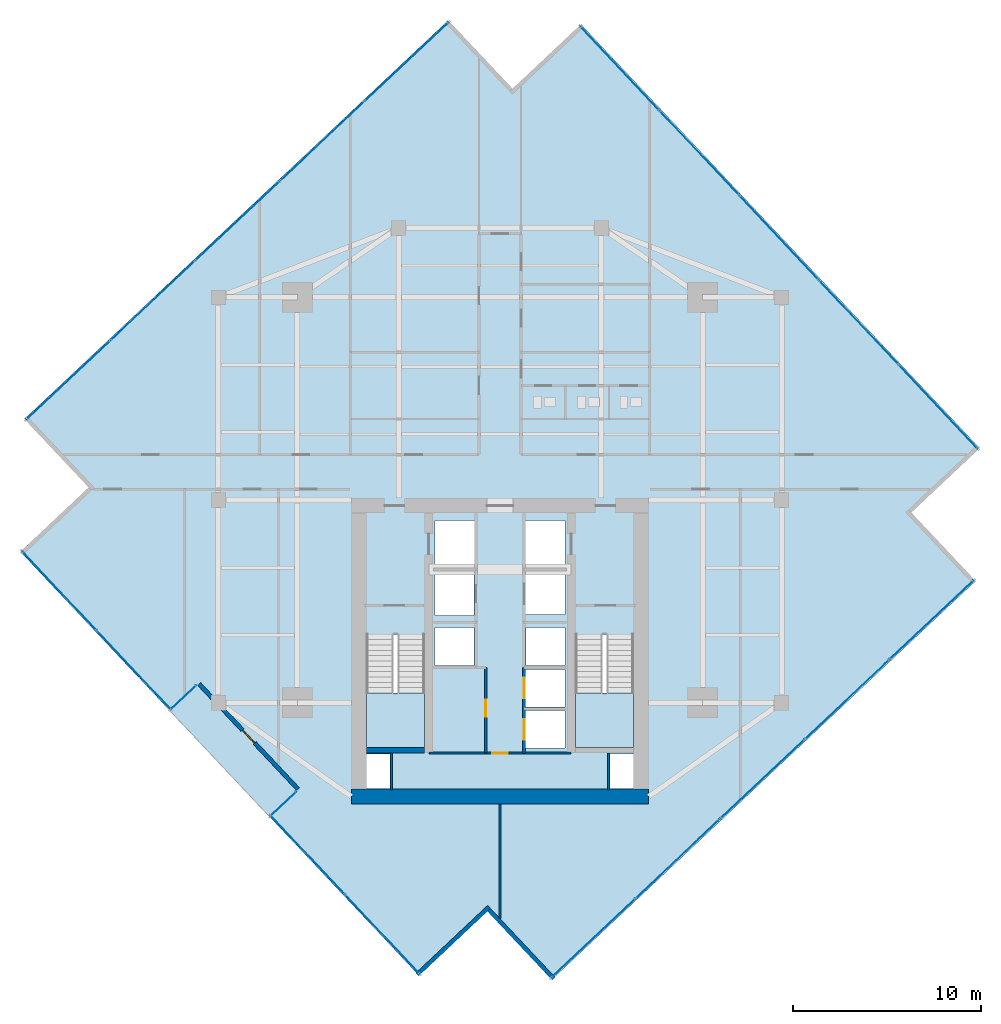
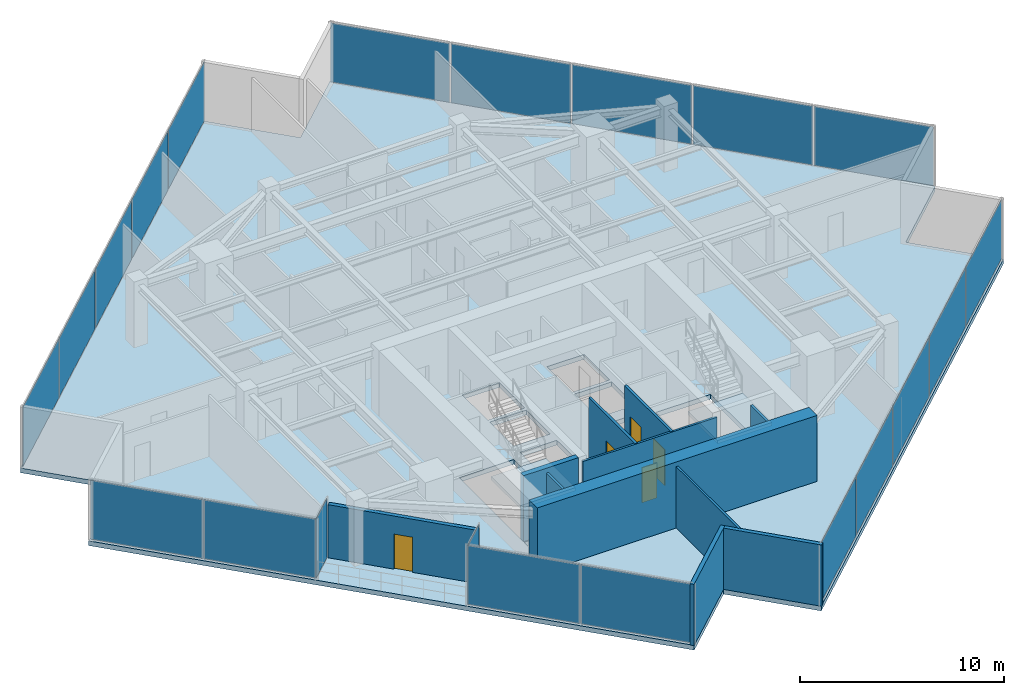
# One storey, part 20 of 24: 21 plates, 11 walls, 5 doors, 3 slabs, 5 openings, 9 elements without a shape of their own.
"""IFC4 building model written with IfcOpenShell, lengths in metres."""

from ifc_helpers import new_model, si_unit, direction, frame, frame_2d, origin, origin_2d, place, context, subcontext, project, spatial, polyline, rectangle, outline, extrude, source, transform, mapped, material, layer, layer_set, type_object, type_shapes, element, fill, aggregate, save


model = new_model("IFC4")

# Units and contexts
model_context = context("Model", 3, precision=1e-05, world=origin(), true_north=direction((0.0, 1.0)))
body_context = subcontext(model_context, "Body", "Model", "MODEL_VIEW")
ifc_project = project(units=[si_unit("LENGTHUNIT", "METRE"), si_unit("AREAUNIT", "SQUARE_METRE"), si_unit("VOLUMEUNIT", "CUBIC_METRE"), si_unit("PLANEANGLEUNIT", "RADIAN"), si_unit("MASSUNIT", "GRAM", prefix="KILO")], contexts=[model_context])

# Site, building, storey
site_placement = place(None, origin())
site = spatial("IfcSite", under=ifc_project, at=site_placement, CompositionType="ELEMENT")
building_placement = place(site_placement, origin())
building = spatial("IfcBuilding", under=site, at=building_placement, Name="Krantzveldt Concourse Tower", CompositionType="ELEMENT")
storey_placement = place(building_placement, frame((0.0, 0.0, 242.85009765625)))
storey = spatial("IfcBuildingStorey", under=building, at=storey_placement, Name="L59", CompositionType="ELEMENT", Elevation=242.85009765625)

# Stair, slab
ifc_material_1 = material(Name="Precast concrete C40/50", Category="concrete")
stair_type = type_object("IfcStairType", Name="STR-CORE-DOGLEG", PredefinedType="HALF_TURN_STAIR", material=ifc_material_1)
stair_1_placement = place(storey_placement, origin())
stair_1 = element("IfcStair", 1, at=stair_1_placement, inside=storey, type_object=stair_type, Name="L59 Protected Escape Stair ST-1", PredefinedType="HALF_TURN_STAIR")
ifc_layer_1 = layer(ifc_material_1, 0.199951171875, Name="Precast concrete C40/50", Category="concrete")
ifc_layer_set_1 = layer_set([ifc_layer_1], Name="Precast concrete C40/50 (SL-LANDING-200)")
slab_type_1 = type_object("IfcSlabType", Name="SL-LANDING-200", PredefinedType="LANDING", material=ifc_layer_set_1)
slab_1_placement = place(storey_placement, frame((0.0, 0.0, 1.77490234375)))
slab_1 = element("IfcSlab", 2, at=slab_1_placement, type_object=slab_type_1, Name="ST-1 landing 1", PredefinedType="LANDING", context=body_context, shape_type="SweptSolid", body=[
    extrude(outline(polyline([(28.8798828125, 16.4150390625), (28.8798828125, 13.52001953125), (31.97998046875, 13.52001953125), (31.97998046875, 16.4150390625), (28.8798828125, 16.4150390625)])), origin(), (0.0, 0.0, 1.0), 0.199951171875),
])
aggregate(stair_1, [slab_1])

stair_2_placement = place(storey_placement, origin())
stair_2 = element("IfcStair", 3, at=stair_2_placement, inside=storey, type_object=stair_type, Name="L59 Protected Escape Stair ST-2", PredefinedType="HALF_TURN_STAIR")
slab_2_placement = place(storey_placement, frame((0.0, 0.0, 1.77490234375)))
slab_2 = element("IfcSlab", 4, at=slab_2_placement, type_object=slab_type_1, Name="ST-2 landing 1", PredefinedType="LANDING", context=body_context, shape_type="SweptSolid", body=[
    extrude(outline(polyline([(40.02001953125, 16.4150390625), (40.02001953125, 13.52001953125), (43.1201171875, 13.52001953125), (43.1201171875, 16.4150390625), (40.02001953125, 16.4150390625)])), origin(), (0.0, 0.0, 1.0), 0.199951171875),
])
aggregate(stair_2, [slab_2])

# Slab
ifc_material_2 = material(Name="Concrete C40/50", Category="concrete")
ifc_layer_2 = layer(ifc_material_2, 0.280029296875, Name="Concrete C40/50", Category="concrete")
ifc_layer_set_2 = layer_set([ifc_layer_2], Name="Concrete C40/50 (SL-SL-TER280)")
slab_type_2 = type_object("IfcSlabType", Name="SL-SL-TER280", PredefinedType="FLOOR", material=ifc_layer_set_2)
slab_3_placement = place(storey_placement, frame((0.0, 0.0, -0.280029296875)))
element("IfcSlab", 5, at=slab_3_placement, inside=storey, type_object=slab_type_2, Name="SL-L59-MAIN", PredefinedType="FLOOR", context=body_context, shape_type="SweptSolid", body=[
    extrude(outline(polyline([(36.66943359375, 48.610107421875), (33.243408203125, 52.251953125), (10.6640625, 31.01123046875), (14.08984375, 27.369384765625), (10.447998046875, 23.943603515625), (31.688720703125, 1.364013671875), (35.33056640625, 4.789794921875), (38.756591796875, 1.14794921875), (61.3359375, 22.388671875), (57.91015625, 26.030517578125), (61.552001953125, 29.45654296875), (40.311279296875, 52.035888671875), (36.66943359375, 48.610107421875)]), holes=[polyline([(28.8798828125, 19.547607421875), (28.8798828125, 13.52001953125), (31.97998046875, 13.52001953125), (31.97998046875, 19.547607421875), (28.8798828125, 19.547607421875)]), polyline([(40.02001953125, 19.547607421875), (40.02001953125, 13.52001953125), (43.1201171875, 13.52001953125), (43.1201171875, 19.547607421875), (40.02001953125, 19.547607421875)]), polyline([(32.550048828125, 23.10009765625), (34.64990234375, 23.10009765625), (34.64990234375, 25.60009765625), (32.550048828125, 25.60009765625), (32.550048828125, 23.10009765625)]), polyline([(37.35009765625, 23.10009765625), (39.449951171875, 23.10009765625), (39.449951171875, 25.60009765625), (37.35009765625, 25.60009765625), (37.35009765625, 23.10009765625)]), polyline([(37.35009765625, 20.60009765625), (39.449951171875, 20.60009765625), (39.449951171875, 22.89990234375), (37.35009765625, 22.89990234375), (37.35009765625, 20.60009765625)]), polyline([(37.35009765625, 13.47998046875), (39.449951171875, 13.47998046875), (39.449951171875, 15.47998046875), (37.35009765625, 15.47998046875), (37.35009765625, 13.47998046875)]), polyline([(37.35009765625, 15.679931640625), (39.449951171875, 15.679931640625), (39.449951171875, 17.679931640625), (37.35009765625, 17.679931640625), (37.35009765625, 15.679931640625)]), polyline([(32.550048828125, 20.550048828125), (34.6201171875, 20.550048828125), (34.6201171875, 22.89990234375), (32.550048828125, 22.89990234375), (32.550048828125, 20.550048828125)]), polyline([(32.550048828125, 17.8798828125), (34.6201171875, 17.8798828125), (34.6201171875, 19.919921875), (32.550048828125, 19.919921875), (32.550048828125, 17.8798828125)]), polyline([(37.3798828125, 17.8798828125), (39.449951171875, 17.8798828125), (39.449951171875, 19.919921875), (37.3798828125, 19.919921875), (37.3798828125, 17.8798828125)]), polyline([(28.8798828125, 11.320068359375), (30.139892578125, 11.320068359375), (30.139892578125, 13.159912109375), (28.8798828125, 13.159912109375), (28.8798828125, 11.320068359375)]), polyline([(41.860107421875, 11.320068359375), (43.1201171875, 11.320068359375), (43.1201171875, 13.159912109375), (41.860107421875, 13.159912109375), (41.860107421875, 11.320068359375)])]), origin(), (0.0, 0.0, 1.0), 0.280029296875),
])

# Curtain wall, plate
ifc_material_3 = material(Name="Anodised aluminium 6063-T6", Category="aluminium")
curtain_wall_type_1 = type_object("IfcCurtainWallType", Name="CW6", PredefinedType="USERDEFINED", material=ifc_material_3)
curtain_wall_1_placement = place(storey_placement, origin())
curtain_wall_1 = element("IfcCurtainWall", 6, at=curtain_wall_1_placement, inside=storey, type_object=curtain_wall_type_1, Name="CW-L59-TR05", ObjectType="UNITISED CURTAIN WALL", PredefinedType="USERDEFINED")
ifc_material_4 = material(Name="Bronze-tinted laminated low-E IGU glass", Category="glass")
ifc_layer_3 = layer(ifc_material_4, 0.031982421875, Name="Bronze-tinted laminated low-E IGU glass", Category="glass")
ifc_layer_set_3 = layer_set([ifc_layer_3], Name="Bronze-tinted laminated low-E IGU glass (CW-GLZ-32)")
plate_type = type_object("IfcPlateType", Name="CW-GLZ-32", PredefinedType="CURTAIN_PANEL", material=ifc_layer_set_3)
shared_shape_1 = source(origin(), body_context, "Body", "SweptSolid", [
    extrude(rectangle(XDim=1.860107421875, YDim=0.031982421875, at=origin_2d()), origin(), (0.0, 0.0, 1.0), 3.530029296875),
])
plate_1_placement = place(storey_placement, frame((19.13134765625, 16.17236328125, 0.06982421875), z_axis=(0.0, 0.0, 1.0), x_axis=(0.728372006928, 0.685181887913, 0.0)))
plate_1 = element("IfcPlate", 7, at=plate_1_placement, type_object=plate_type, Name="CW-TERR panel 1.1", PredefinedType="CURTAIN_PANEL", context=body_context, shape_type="MappedRepresentation", body=[
    mapped(shared_shape_1, transform((0.0, 0.0, 0.0), x_axis=(1.0, 0.0, 0.0), y_axis=(0.0, 1.0, 0.0), z_axis=(0.0, 0.0, 1.0), scale=1.0)),
])
aggregate(curtain_wall_1, [plate_1])

curtain_wall_2_placement = place(storey_placement, origin())
curtain_wall_2 = element("IfcCurtainWall", 8, at=curtain_wall_2_placement, inside=storey, type_object=curtain_wall_type_1, Name="CW-L59-TR07", ObjectType="UNITISED CURTAIN WALL", PredefinedType="USERDEFINED")
plate_2_placement = place(storey_placement, frame((24.462158203125, 10.505615234375, 0.06982421875), z_axis=(0.0, 0.0, 1.0), x_axis=(-0.728372006928, -0.685181887913, 0.0)))
plate_2 = element("IfcPlate", 9, at=plate_2_placement, type_object=plate_type, Name="CW-TERR panel 1.1", PredefinedType="CURTAIN_PANEL", context=body_context, shape_type="MappedRepresentation", body=[
    mapped(shared_shape_1, transform((0.0, 0.0, 0.0), x_axis=(1.0, 0.0, 0.0), y_axis=(0.0, 1.0, 0.0), z_axis=(0.0, 0.0, 1.0), scale=1.0)),
])
aggregate(curtain_wall_2, [plate_2])

# Curtain wall, plates
curtain_wall_type_2 = type_object("IfcCurtainWallType", Name="CW3", PredefinedType="USERDEFINED", material=ifc_material_3)
curtain_wall_3_placement = place(storey_placement, origin())
curtain_wall_3 = element("IfcCurtainWall", 10, at=curtain_wall_3_placement, inside=storey, type_object=curtain_wall_type_2, Name="CW-L59-F01", ObjectType="UNITISED CURTAIN WALL", PredefinedType="USERDEFINED")
shared_shape_2 = source(origin(), body_context, "Body", "SweptSolid", [
    extrude(rectangle(XDim=6.094970703125, YDim=0.031982421875, at=origin_2d()), origin(), (0.0, 0.0, 1.0), 3.530029296875),
])
plate_3_placement = place(storey_placement, frame((31.034423828125, 50.05029296875, 0.06982421875), z_axis=(0.0, 0.0, 1.0), x_axis=(-0.728371012348, -0.685182945184, 0.0)))
plate_3 = element("IfcPlate", 11, at=plate_3_placement, type_object=plate_type, Name="CW-Z34 panel 1.1", PredefinedType="CURTAIN_PANEL", context=body_context, shape_type="MappedRepresentation", body=[
    mapped(shared_shape_2, transform((0.0, 0.0, 0.0), x_axis=(1.0, 0.0, 0.0), y_axis=(0.0, 1.0, 0.0), z_axis=(0.0, 0.0, 1.0), scale=1.0)),
])
plate_4_placement = place(storey_placement, frame((12.996337890625, 33.081787109375, 0.06982421875), z_axis=(0.0, 0.0, 1.0), x_axis=(-0.728371012348, -0.685182945184, 0.0)))
plate_4 = element("IfcPlate", 12, at=plate_4_placement, type_object=plate_type, Name="CW-Z34 panel 5.1", PredefinedType="CURTAIN_PANEL", context=body_context, shape_type="MappedRepresentation", body=[
    mapped(shared_shape_2, transform((0.0, 0.0, 0.0), x_axis=(1.0, 0.0, 0.0), y_axis=(0.0, 1.0, 0.0), z_axis=(0.0, 0.0, 1.0), scale=1.0)),
])

curtain_wall_4_placement = place(storey_placement, origin())
curtain_wall_4 = element("IfcCurtainWall", 13, at=curtain_wall_4_placement, inside=storey, type_object=curtain_wall_type_2, Name="CW-L59-F11", ObjectType="UNITISED CURTAIN WALL", PredefinedType="USERDEFINED")
plate_5_placement = place(storey_placement, frame((40.965576171875, 3.349609375, 0.06982421875), z_axis=(0.0, 0.0, 1.0), x_axis=(0.728371012348, 0.685182945184, 0.0)))
plate_5 = element("IfcPlate", 14, at=plate_5_placement, type_object=plate_type, Name="CW-Z34 panel 1.1", PredefinedType="CURTAIN_PANEL", context=body_context, shape_type="MappedRepresentation", body=[
    mapped(shared_shape_2, transform((0.0, 0.0, 0.0), x_axis=(1.0, 0.0, 0.0), y_axis=(0.0, 1.0, 0.0), z_axis=(0.0, 0.0, 1.0), scale=1.0)),
])
plate_6_placement = place(storey_placement, frame((59.003662109375, 20.318115234375, 0.06982421875), z_axis=(0.0, 0.0, 1.0), x_axis=(0.728371012348, 0.685182945184, 0.0)))
plate_6 = element("IfcPlate", 15, at=plate_6_placement, type_object=plate_type, Name="CW-Z34 panel 5.1", PredefinedType="CURTAIN_PANEL", context=body_context, shape_type="MappedRepresentation", body=[
    mapped(shared_shape_2, transform((0.0, 0.0, 0.0), x_axis=(1.0, 0.0, 0.0), y_axis=(0.0, 1.0, 0.0), z_axis=(0.0, 0.0, 1.0), scale=1.0)),
])

curtain_wall_5_placement = place(storey_placement, origin())
curtain_wall_5 = element("IfcCurtainWall", 16, at=curtain_wall_5_placement, inside=storey, type_object=curtain_wall_type_2, Name="CW-L59-F14", ObjectType="UNITISED CURTAIN WALL", PredefinedType="USERDEFINED")
plate_7_placement = place(storey_placement, frame((59.350341796875, 31.66552734375, 0.06982421875), z_axis=(0.0, 0.0, 1.0), x_axis=(-0.685182945184, 0.728371012348, 0.0)))
plate_7 = element("IfcPlate", 17, at=plate_7_placement, type_object=plate_type, Name="CW-Z34 panel 1.1", PredefinedType="CURTAIN_PANEL", context=body_context, shape_type="MappedRepresentation", body=[
    mapped(shared_shape_2, transform((0.0, 0.0, 0.0), x_axis=(1.0, 0.0, 0.0), y_axis=(0.0, 1.0, 0.0), z_axis=(0.0, 0.0, 1.0), scale=1.0)),
])
plate_8_placement = place(storey_placement, frame((42.3818359375, 49.70361328125, 0.06982421875), z_axis=(0.0, 0.0, 1.0), x_axis=(-0.685182945184, 0.728371012348, 0.0)))
plate_8 = element("IfcPlate", 18, at=plate_8_placement, type_object=plate_type, Name="CW-Z34 panel 5.1", PredefinedType="CURTAIN_PANEL", context=body_context, shape_type="MappedRepresentation", body=[
    mapped(shared_shape_2, transform((0.0, 0.0, 0.0), x_axis=(1.0, 0.0, 0.0), y_axis=(0.0, 1.0, 0.0), z_axis=(0.0, 0.0, 1.0), scale=1.0)),
])

# Plate
shared_shape_3 = source(origin(), body_context, "Body", "SweptSolid", [
    extrude(rectangle(XDim=6.1298828125, YDim=0.031982421875, at=origin_2d()), origin(), (0.0, 0.0, 1.0), 3.530029296875),
])
plate_9_placement = place(storey_placement, frame((26.53125, 45.814208984375, 0.06982421875), z_axis=(0.0, 0.0, 1.0), x_axis=(-0.728371012348, -0.685182945184, 0.0)))
plate_9 = element("IfcPlate", 19, at=plate_9_placement, type_object=plate_type, Name="CW-Z34 panel 2.1", PredefinedType="CURTAIN_PANEL", context=body_context, shape_type="MappedRepresentation", body=[
    mapped(shared_shape_3, transform((0.0, 0.0, 0.0), x_axis=(1.0, 0.0, 0.0), y_axis=(0.0, 1.0, 0.0), z_axis=(0.0, 0.0, 1.0), scale=1.0)),
])

plate_10_placement = place(storey_placement, frame((22.015380859375, 41.566162109375, 0.06982421875), z_axis=(0.0, 0.0, 1.0), x_axis=(-0.728371012348, -0.685182945184, 0.0)))
plate_10 = element("IfcPlate", 20, at=plate_10_placement, type_object=plate_type, Name="CW-Z34 panel 3.1", PredefinedType="CURTAIN_PANEL", context=body_context, shape_type="MappedRepresentation", body=[
    mapped(shared_shape_3, transform((0.0, 0.0, 0.0), x_axis=(1.0, 0.0, 0.0), y_axis=(0.0, 1.0, 0.0), z_axis=(0.0, 0.0, 1.0), scale=1.0)),
])

plate_11_placement = place(storey_placement, frame((17.49951171875, 37.31787109375, 0.06982421875), z_axis=(0.0, 0.0, 1.0), x_axis=(-0.728371012348, -0.685182945184, 0.0)))
plate_11 = element("IfcPlate", 21, at=plate_11_placement, type_object=plate_type, Name="CW-Z34 panel 4.1", PredefinedType="CURTAIN_PANEL", context=body_context, shape_type="MappedRepresentation", body=[
    mapped(shared_shape_3, transform((0.0, 0.0, 0.0), x_axis=(1.0, 0.0, 0.0), y_axis=(0.0, 1.0, 0.0), z_axis=(0.0, 0.0, 1.0), scale=1.0)),
])

aggregate(curtain_wall_3, [plate_3, plate_9, plate_10, plate_11, plate_4])

plate_12_placement = place(storey_placement, frame((45.46875, 7.585693359375, 0.06982421875), z_axis=(0.0, 0.0, 1.0), x_axis=(0.728371012348, 0.685182945184, 0.0)))
plate_12 = element("IfcPlate", 22, at=plate_12_placement, type_object=plate_type, Name="CW-Z34 panel 2.1", PredefinedType="CURTAIN_PANEL", context=body_context, shape_type="MappedRepresentation", body=[
    mapped(shared_shape_3, transform((0.0, 0.0, 0.0), x_axis=(1.0, 0.0, 0.0), y_axis=(0.0, 1.0, 0.0), z_axis=(0.0, 0.0, 1.0), scale=1.0)),
])

plate_13_placement = place(storey_placement, frame((49.984619140625, 11.833984375, 0.06982421875), z_axis=(0.0, 0.0, 1.0), x_axis=(0.728371012348, 0.685182945184, 0.0)))
plate_13 = element("IfcPlate", 23, at=plate_13_placement, type_object=plate_type, Name="CW-Z34 panel 3.1", PredefinedType="CURTAIN_PANEL", context=body_context, shape_type="MappedRepresentation", body=[
    mapped(shared_shape_3, transform((0.0, 0.0, 0.0), x_axis=(1.0, 0.0, 0.0), y_axis=(0.0, 1.0, 0.0), z_axis=(0.0, 0.0, 1.0), scale=1.0)),
])

plate_14_placement = place(storey_placement, frame((54.50048828125, 16.08203125, 0.06982421875), z_axis=(0.0, 0.0, 1.0), x_axis=(0.728371012348, 0.685182945184, 0.0)))
plate_14 = element("IfcPlate", 24, at=plate_14_placement, type_object=plate_type, Name="CW-Z34 panel 4.1", PredefinedType="CURTAIN_PANEL", context=body_context, shape_type="MappedRepresentation", body=[
    mapped(shared_shape_3, transform((0.0, 0.0, 0.0), x_axis=(1.0, 0.0, 0.0), y_axis=(0.0, 1.0, 0.0), z_axis=(0.0, 0.0, 1.0), scale=1.0)),
])

aggregate(curtain_wall_4, [plate_5, plate_12, plate_13, plate_14, plate_6])

plate_15_placement = place(storey_placement, frame((55.1142578125, 36.168701171875, 0.06982421875), z_axis=(0.0, 0.0, 1.0), x_axis=(-0.685182945184, 0.728371012348, 0.0)))
plate_15 = element("IfcPlate", 25, at=plate_15_placement, type_object=plate_type, Name="CW-Z34 panel 2.1", PredefinedType="CURTAIN_PANEL", context=body_context, shape_type="MappedRepresentation", body=[
    mapped(shared_shape_3, transform((0.0, 0.0, 0.0), x_axis=(1.0, 0.0, 0.0), y_axis=(0.0, 1.0, 0.0), z_axis=(0.0, 0.0, 1.0), scale=1.0)),
])

plate_16_placement = place(storey_placement, frame((50.865966796875, 40.6845703125, 0.06982421875), z_axis=(0.0, 0.0, 1.0), x_axis=(-0.685182945184, 0.728371012348, 0.0)))
plate_16 = element("IfcPlate", 26, at=plate_16_placement, type_object=plate_type, Name="CW-Z34 panel 3.1", PredefinedType="CURTAIN_PANEL", context=body_context, shape_type="MappedRepresentation", body=[
    mapped(shared_shape_3, transform((0.0, 0.0, 0.0), x_axis=(1.0, 0.0, 0.0), y_axis=(0.0, 1.0, 0.0), z_axis=(0.0, 0.0, 1.0), scale=1.0)),
])

plate_17_placement = place(storey_placement, frame((46.617919921875, 45.200439453125, 0.06982421875), z_axis=(0.0, 0.0, 1.0), x_axis=(-0.685182945184, 0.728371012348, 0.0)))
plate_17 = element("IfcPlate", 27, at=plate_17_placement, type_object=plate_type, Name="CW-Z34 panel 4.1", PredefinedType="CURTAIN_PANEL", context=body_context, shape_type="MappedRepresentation", body=[
    mapped(shared_shape_3, transform((0.0, 0.0, 0.0), x_axis=(1.0, 0.0, 0.0), y_axis=(0.0, 1.0, 0.0), z_axis=(0.0, 0.0, 1.0), scale=1.0)),
])

aggregate(curtain_wall_5, [plate_7, plate_15, plate_16, plate_17, plate_8])

# Curtain wall, plates
curtain_wall_6_placement = place(storey_placement, origin())
curtain_wall_6 = element("IfcCurtainWall", 28, at=curtain_wall_6_placement, inside=storey, type_object=curtain_wall_type_2, Name="CW-L59-F04", ObjectType="UNITISED CURTAIN WALL", PredefinedType="USERDEFINED")
shared_shape_4 = source(origin(), body_context, "Body", "SweptSolid", [
    extrude(rectangle(XDim=5.7451171875, YDim=0.031982421875, at=origin_2d()), origin(), (0.0, 0.0, 1.0), 3.530029296875),
])
type_shapes(plate_type, [shared_shape_1, shared_shape_2, shared_shape_3, shared_shape_4])
plate_18_placement = place(storey_placement, frame((12.52978515625, 21.862060546875, 0.06982421875), z_axis=(0.0, 0.0, 1.0), x_axis=(0.685182960414, -0.728370998021, 0.0)))
plate_18 = element("IfcPlate", 29, at=plate_18_placement, type_object=plate_type, Name="CW-Z34 panel 1.1", PredefinedType="CURTAIN_PANEL", context=body_context, shape_type="MappedRepresentation", body=[
    mapped(shared_shape_4, transform((0.0, 0.0, 0.0), x_axis=(1.0, 0.0, 0.0), y_axis=(0.0, 1.0, 0.0), z_axis=(0.0, 0.0, 1.0), scale=1.0)),
])
plate_19_placement = place(storey_placement, frame((16.51416015625, 17.62646484375, 0.06982421875), z_axis=(0.0, 0.0, 1.0), x_axis=(0.685182960414, -0.728370998021, 0.0)))
plate_19 = element("IfcPlate", 30, at=plate_19_placement, type_object=plate_type, Name="CW-Z34 panel 2.1", PredefinedType="CURTAIN_PANEL", context=body_context, shape_type="MappedRepresentation", body=[
    mapped(shared_shape_4, transform((0.0, 0.0, 0.0), x_axis=(1.0, 0.0, 0.0), y_axis=(0.0, 1.0, 0.0), z_axis=(0.0, 0.0, 1.0), scale=1.0)),
])
aggregate(curtain_wall_6, [plate_18, plate_19])

curtain_wall_7_placement = place(storey_placement, origin())
curtain_wall_7 = element("IfcCurtainWall", 31, at=curtain_wall_7_placement, inside=storey, type_object=curtain_wall_type_2, Name="CW-L59-F08", ObjectType="UNITISED CURTAIN WALL", PredefinedType="USERDEFINED")
plate_20_placement = place(storey_placement, frame((25.75390625, 7.804443359375, 0.06982421875), z_axis=(0.0, 0.0, 1.0), x_axis=(0.685182960414, -0.728370998021, 0.0)))
plate_20 = element("IfcPlate", 32, at=plate_20_placement, type_object=plate_type, Name="CW-Z34 panel 1.1", PredefinedType="CURTAIN_PANEL", context=body_context, shape_type="MappedRepresentation", body=[
    mapped(shared_shape_4, transform((0.0, 0.0, 0.0), x_axis=(1.0, 0.0, 0.0), y_axis=(0.0, 1.0, 0.0), z_axis=(0.0, 0.0, 1.0), scale=1.0)),
])
plate_21_placement = place(storey_placement, frame((29.738037109375, 3.56884765625, 0.06982421875), z_axis=(0.0, 0.0, 1.0), x_axis=(0.685182960414, -0.728370998021, 0.0)))
plate_21 = element("IfcPlate", 33, at=plate_21_placement, type_object=plate_type, Name="CW-Z34 panel 2.1", PredefinedType="CURTAIN_PANEL", context=body_context, shape_type="MappedRepresentation", body=[
    mapped(shared_shape_4, transform((0.0, 0.0, 0.0), x_axis=(1.0, 0.0, 0.0), y_axis=(0.0, 1.0, 0.0), z_axis=(0.0, 0.0, 1.0), scale=1.0)),
])
aggregate(curtain_wall_7, [plate_20, plate_21])

# Wall, opening, door
ifc_layer_4 = layer(ifc_material_3, 0.219970703125, Name="Anodised aluminium 6063-T6", Category="aluminium")
ifc_layer_set_4 = layer_set([ifc_layer_4], Name="Anodised aluminium 6063-T6 (WL-EXT-NOTCH220)")
wall_type_1 = type_object("IfcWallType", Name="WL-EXT-NOTCH220", PredefinedType="ELEMENTEDWALL", material=ifc_layer_set_4)
wall_1_placement = place(storey_placement, frame((25.23974609375, 11.298828125, 0.0), z_axis=(0.0, 0.0, 1.0), x_axis=(-0.685172559646, 0.728380781946, 0.0)))
wall_1 = element("IfcWall", 34, at=wall_1_placement, inside=storey, type_object=wall_type_1, Name="EW-L59-TSLOT", PredefinedType="ELEMENTEDWALL", context=body_context, shape_type="SweptSolid", body=[
    extrude(rectangle(XDim=7.690185546875, YDim=0.219970703125, at=frame_2d((3.84521484375, 0.0))), origin(), (0.0, 0.0, 1.0), 3.179931640625),
])
opening_1_placement = place(wall_1_placement, frame((3.3701171875, 0.0, 0.0)))
opening_1 = element("IfcOpeningElement", 35, at=opening_1_placement, cuts=wall_1, Name="Opening D-EX95", PredefinedType="OPENING", context=body_context, shape_type="SweptSolid", body=[
    extrude(rectangle(XDim=0.949951171875, YDim=2.10009765625, at=frame_2d((0.47509765625, 1.050048828125))), frame((0.0, 0.1201171875, 0.0), z_axis=(0.0, -1.0, 0.0), x_axis=(1.0, 0.0, 0.0)), (0.0, 0.0, 1.0), 0.239990234375),
])
door_type_1 = type_object("IfcDoorType", Name="DR-EXT-950", OperationType="SINGLE_SWING_LEFT", PredefinedType="DOOR", material=ifc_material_3)
door_1_placement = place(opening_1_placement, origin())
door_1 = element("IfcDoor", 36, at=door_1_placement, inside=storey, type_object=door_type_1, Name="DR-L59-TERR", OperationType="SINGLE_SWING_LEFT", OverallHeight=2.10009765625, OverallWidth=0.949951171875, PredefinedType="DOOR", context=body_context, shape_type="SweptSolid", body=[
    extrude(rectangle(XDim=0.949951171875, YDim=2.10009765625, at=frame_2d((0.47509765625, 1.050048828125))), frame((0.0, 0.02490234375, 0.0), z_axis=(0.0, -1.0, 0.0), x_axis=(1.0, 0.0, 0.0)), (0.0, 0.0, 1.0), 0.050048828125),
])
fill(opening_1, door_1)

# Walls
wall_2_placement = place(storey_placement, frame((31.59521484375, 1.427001953125, 0.0), z_axis=(0.0, 0.0, 1.0), x_axis=(0.728374884992, 0.685178828418, 0.0)))
element("IfcWall", 37, at=wall_2_placement, inside=storey, type_object=wall_type_1, Name="EW-L59-NCH09", PredefinedType="ELEMENTEDWALL", context=body_context, shape_type="SweptSolid", body=[
    extrude(rectangle(XDim=5.244873046875, YDim=0.219970703125, at=frame_2d((2.62255859375, 0.0))), origin(), (0.0, 0.0, 1.0), 3.669921875),
])
wall_3_placement = place(storey_placement, frame((35.41064453125, 4.865234375, 0.0), z_axis=(0.0, 0.0, 1.0), x_axis=(0.685205552999, -0.728349744381, 0.0)))
element("IfcWall", 38, at=wall_3_placement, inside=storey, type_object=wall_type_1, Name="EW-L59-NCH10", PredefinedType="ELEMENTEDWALL", context=body_context, shape_type="SweptSolid", body=[
    extrude(rectangle(XDim=5.02490234375, YDim=0.219970703125, at=frame_2d((2.512451171875, 0.0))), origin(), (0.0, 0.0, 1.0), 3.669921875),
])

# Wall, opening, door
ifc_material_5 = material(Name="Fire-rated gypsum plasterboard on steel stud", Category="steel")
ifc_layer_5 = layer(ifc_material_5, 0.1201171875, Name="Fire-rated gypsum plasterboard on steel stud", Category="steel")
ifc_layer_set_5 = layer_set([ifc_layer_5], Name="Fire-rated gypsum plasterboard on steel stud (WL-PART-120)")
wall_type_2 = type_object("IfcWallType", Name="WL-PART-120", PredefinedType="PARTITIONING", material=ifc_layer_set_5)
wall_4_placement = place(storey_placement, frame((32.2099609375, 13.219970703125, 0.0), z_axis=(0.0, 0.0, 1.0), x_axis=(1.0, 0.0, 0.0)))
wall_4 = element("IfcWall", 39, at=wall_4_placement, inside=storey, type_object=wall_type_2, Name="WP-L59-CS2H", PredefinedType="PARTITIONING", context=body_context, shape_type="SweptSolid", body=[
    extrude(rectangle(XDim=7.580078125, YDim=0.1201171875, at=frame_2d((3.7900390625, 0.0))), origin(), (0.0, 0.0, 1.0), 3.669921875),
])
opening_2_placement = place(wall_4_placement, frame((3.364990234375, 0.0, 0.0)))
opening_2 = element("IfcOpeningElement", 40, at=opening_2_placement, cuts=wall_4, Name="Opening D-IN085", PredefinedType="OPENING", context=body_context, shape_type="SweptSolid", body=[
    extrude(rectangle(XDim=0.85009765625, YDim=2.10009765625, at=frame_2d((0.425048828125, 1.050048828125))), frame((0.0, 0.070068359375, 0.0), z_axis=(0.0, -1.0, 0.0), x_axis=(1.0, 0.0, 0.0)), (0.0, 0.0, 1.0), 0.14013671875),
])
ifc_material_6 = material(Name="Hardwood timber", Category="wood")
door_type_2 = type_object("IfcDoorType", Name="DR-INT-850", OperationType="SINGLE_SWING_LEFT", PredefinedType="DOOR", material=ifc_material_6)
door_2_placement = place(opening_2_placement, origin())
door_2 = element("IfcDoor", 41, at=door_2_placement, inside=storey, type_object=door_type_2, Name="DR-L59-CSC1", OperationType="SINGLE_SWING_RIGHT", OverallHeight=2.10009765625, OverallWidth=0.85009765625, PredefinedType="DOOR", context=body_context, shape_type="SweptSolid", body=[
    extrude(rectangle(XDim=0.85009765625, YDim=2.10009765625, at=frame_2d((0.425048828125, 1.050048828125))), frame((0.0, 0.02490234375, 0.0), z_axis=(0.0, -1.0, 0.0), x_axis=(1.0, 0.0, 0.0)), (0.0, 0.0, 1.0), 0.050048828125),
])
fill(opening_2, door_2)

# Wall
wall_5_placement = place(storey_placement, frame((36.0, 4.40673828125, 0.0), z_axis=(0.0, 0.0, 1.0), x_axis=(0.0, 1.0, 0.0)))
element("IfcWall", 42, at=wall_5_placement, inside=storey, type_object=wall_type_2, Name="WP-L59-SMID", PredefinedType="PARTITIONING", context=body_context, shape_type="SweptSolid", body=[
    extrude(rectangle(XDim=6.09326171875, YDim=0.1201171875, at=frame_2d((3.046630859375, 0.0))), origin(), (0.0, 0.0, 1.0), 3.669921875),
])

# Wall, opening, door
ifc_layer_6 = layer(ifc_material_5, 0.139892578125, Name="Fire-rated gypsum plasterboard on steel stud", Category="steel")
ifc_layer_set_6 = layer_set([ifc_layer_6], Name="Fire-rated gypsum plasterboard on steel stud (WL-PART-FR140)")
wall_type_3 = type_object("IfcWallType", Name="WL-PART-FR140", PredefinedType="PARTITIONING", material=ifc_layer_set_6)
wall_6_placement = place(storey_placement, frame((35.25, 13.219970703125, 0.0), z_axis=(0.0, 0.0, 1.0), x_axis=(0.0, 1.0, 0.0)))
wall_6 = element("IfcWall", 43, at=wall_6_placement, inside=storey, type_object=wall_type_3, Name="WP-L59-RECW", PredefinedType="PARTITIONING", context=body_context, shape_type="SweptSolid", body=[
    extrude(rectangle(XDim=4.56005859375, YDim=0.139892578125, at=frame_2d((2.280029296875, 0.0))), origin(), (0.0, 0.0, 1.0), 3.669921875),
])
opening_3_placement = place(wall_6_placement, frame((1.929931640625, 0.0, 0.0)))
opening_3 = element("IfcOpeningElement", 44, at=opening_3_placement, cuts=wall_6, Name="Opening D-FD090", PredefinedType="OPENING", context=body_context, shape_type="SweptSolid", body=[
    extrude(rectangle(XDim=0.89990234375, YDim=2.10009765625, at=frame_2d((0.449951171875, 1.050048828125))), frame((0.0, 0.080078125, 0.0), z_axis=(0.0, -1.0, 0.0), x_axis=(1.0, 0.0, 0.0)), (0.0, 0.0, 1.0), 0.159912109375),
])
door_type_3 = type_object("IfcDoorType", Name="DR-FD60-900", OperationType="SINGLE_SWING_LEFT", PredefinedType="DOOR", material=ifc_material_6)
door_3_placement = place(opening_3_placement, origin())
door_3 = element("IfcDoor", 45, at=door_3_placement, inside=storey, type_object=door_type_3, Name="DR-L59-RECW", OperationType="SINGLE_SWING_LEFT", OverallHeight=2.10009765625, OverallWidth=0.89990234375, PredefinedType="DOOR", context=body_context, shape_type="SweptSolid", body=[
    extrude(rectangle(XDim=0.89990234375, YDim=2.10009765625, at=frame_2d((0.449951171875, 1.050048828125))), frame((0.0, 0.02490234375, 0.0), z_axis=(0.0, -1.0, 0.0), x_axis=(1.0, 0.0, 0.0)), (0.0, 0.0, 1.0), 0.050048828125),
])
fill(opening_3, door_3)

# Wall, openings, doors
wall_7_placement = place(storey_placement, frame((37.280029296875, 13.219970703125, 0.0), z_axis=(0.0, 0.0, 1.0), x_axis=(0.0, 1.0, 0.0)))
wall_7 = element("IfcWall", 46, at=wall_7_placement, inside=storey, type_object=wall_type_3, Name="WP-L59-SHSE", PredefinedType="PARTITIONING", context=body_context, shape_type="SweptSolid", body=[
    extrude(rectangle(XDim=4.56005859375, YDim=0.139892578125, at=frame_2d((2.280029296875, 0.0))), origin(), (0.0, 0.0, 1.0), 3.669921875),
])
opening_4_placement = place(wall_7_placement, frame((0.7099609375, 0.0, 0.0)))
opening_4 = element("IfcOpeningElement", 47, at=opening_4_placement, cuts=wall_7, Name="Opening LD", PredefinedType="OPENING", context=body_context, shape_type="SweptSolid", body=[
    extrude(rectangle(XDim=1.10009765625, YDim=2.14990234375, at=frame_2d((0.550048828125, 1.074951171875))), frame((0.0, 0.080078125, 0.0), z_axis=(0.0, -1.0, 0.0), x_axis=(1.0, 0.0, 0.0)), (0.0, 0.0, 1.0), 0.159912109375),
])
opening_5_placement = place(wall_7_placement, frame((2.909912109375, 0.0, 0.0)))
opening_5 = element("IfcOpeningElement", 48, at=opening_5_placement, cuts=wall_7, Name="Opening LD", PredefinedType="OPENING", context=body_context, shape_type="SweptSolid", body=[
    extrude(rectangle(XDim=1.10009765625, YDim=2.14990234375, at=frame_2d((0.550048828125, 1.074951171875))), frame((0.0, 0.080078125, 0.0), z_axis=(0.0, -1.0, 0.0), x_axis=(1.0, 0.0, 0.0)), (0.0, 0.0, 1.0), 0.159912109375),
])
ifc_material_7 = material(Name="Stainless steel 316L", Category="steel")
door_type_4 = type_object("IfcDoorType", Name="DR-SLIDE-LD1100", OperationType="DOUBLE_DOOR_SLIDING", PredefinedType="DOOR", material=ifc_material_7)
door_4_placement = place(opening_4_placement, origin())
door_4 = element("IfcDoor", 49, at=door_4_placement, inside=storey, type_object=door_type_4, Name="LD-L59-PM1", OperationType="DOUBLE_DOOR_SLIDING", OverallHeight=2.14990234375, OverallWidth=1.10009765625, PredefinedType="DOOR", context=body_context, shape_type="SweptSolid", body=[
    extrude(rectangle(XDim=1.10009765625, YDim=2.14990234375, at=frame_2d((0.550048828125, 1.074951171875))), frame((0.0, 0.02490234375, 0.0), z_axis=(0.0, -1.0, 0.0), x_axis=(1.0, 0.0, 0.0)), (0.0, 0.0, 1.0), 0.050048828125),
])
fill(opening_4, door_4)
door_5_placement = place(opening_5_placement, origin())
door_5 = element("IfcDoor", 50, at=door_5_placement, inside=storey, type_object=door_type_4, Name="LD-L59-PM2", OperationType="DOUBLE_DOOR_SLIDING", OverallHeight=2.14990234375, OverallWidth=1.10009765625, PredefinedType="DOOR", context=body_context, shape_type="SweptSolid", body=[
    extrude(rectangle(XDim=1.10009765625, YDim=2.14990234375, at=frame_2d((0.550048828125, 1.074951171875))), frame((0.0, 0.02490234375, 0.0), z_axis=(0.0, -1.0, 0.0), x_axis=(1.0, 0.0, 0.0)), (0.0, 0.0, 1.0), 0.050048828125),
])
fill(opening_5, door_5)

# Walls
for number, where, z_axis, x_axis, name in (
    (51, (30.219970703125, 11.25, 0.0), (0.0, 0.0, 1.0), (0.0, 1.0, 0.0), "WP-L59-RSW"),
    (52, (41.780029296875, 11.25, 0.0), (0.0, 0.0, 1.0), (0.0, 1.0, 0.0), "WP-L59-RSE"),
):
    element("IfcWall", number, at=place(storey_placement, frame(where, z_axis=z_axis, x_axis=x_axis)), inside=storey, type_object=wall_type_3, Name=name, PredefinedType="PARTITIONING", context=body_context, shape_type="SweptSolid", body=[
        extrude(rectangle(XDim=1.969970703125, YDim=0.1201171875, at=frame_2d((0.98486328125, 0.0))), origin(), (0.0, 0.0, 1.0), 3.669921875),
    ])
ifc_material_8 = material(Name="Concrete C50/60", Category="concrete")
ifc_layer_7 = layer(ifc_material_8, 0.300048828125, Name="Concrete C50/60", Category="concrete")
ifc_layer_set_7 = layer_set([ifc_layer_7], Name="Concrete C50/60 (WL-SHEAR-300)")
wall_type_4 = type_object("IfcWallType", Name="WL-SHEAR-300", PredefinedType="SHEAR", material=ifc_layer_set_7)
wall_8_placement = place(storey_placement, frame((28.8798828125, 13.3701171875, 0.0), z_axis=(0.0, 0.0, 1.0), x_axis=(1.0, 0.0, 0.0)))
element("IfcWall", 53, at=wall_8_placement, inside=storey, type_object=wall_type_4, Name="CW-L59-ST1S", PredefinedType="SHEAR", context=body_context, shape_type="SweptSolid", body=[
    extrude(rectangle(XDim=3.10009765625, YDim=0.300048828125, at=frame_2d((1.550048828125, 0.0))), origin(), (0.0, 0.0, 1.0), 3.949951171875),
])
ifc_material_9 = material(Name="Concrete C60/75", Category="concrete")
ifc_layer_8 = layer(ifc_material_9, 0.800048828125, Name="Concrete C60/75", Category="concrete")
ifc_layer_set_8 = layer_set([ifc_layer_8], Name="Concrete C60/75 (WL-SHEAR-800)")
wall_type_5 = type_object("IfcWallType", Name="WL-SHEAR-800", PredefinedType="SHEAR", material=ifc_layer_set_8)
wall_9_placement = place(storey_placement, frame((28.080078125, 10.89990234375, 0.0), z_axis=(0.0, 0.0, 1.0), x_axis=(1.0, 0.0, 0.0)))
element("IfcWall", 54, at=wall_9_placement, inside=storey, type_object=wall_type_5, Name="CW-L59-S", PredefinedType="SHEAR", context=body_context, shape_type="SweptSolid", body=[
    extrude(rectangle(XDim=15.83984375, YDim=0.800048828125, at=frame_2d((7.919921875, 0.0))), origin(), (0.0, 0.0, 1.0), 3.949951171875),
])

save(model, "model.ifc")
